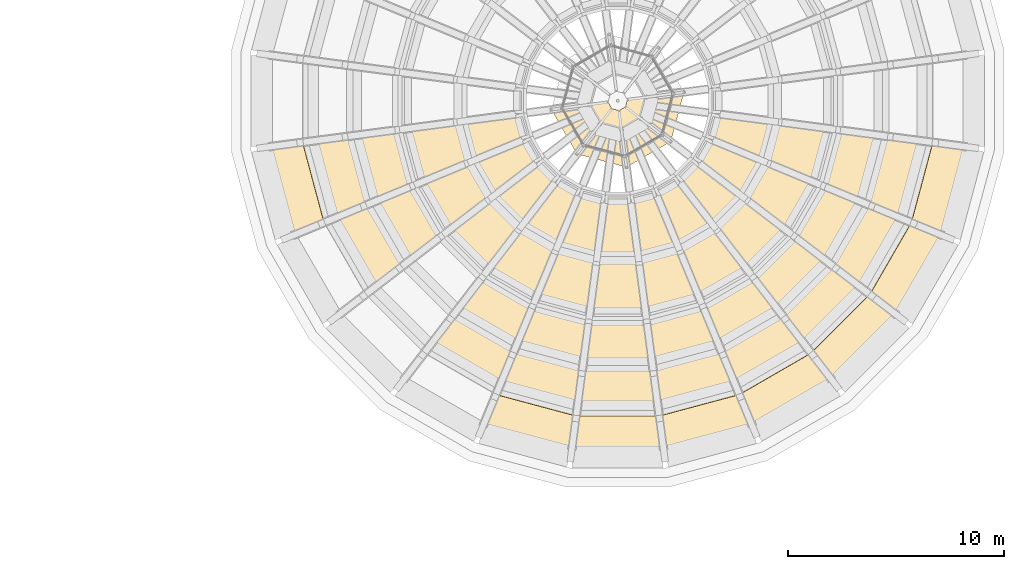
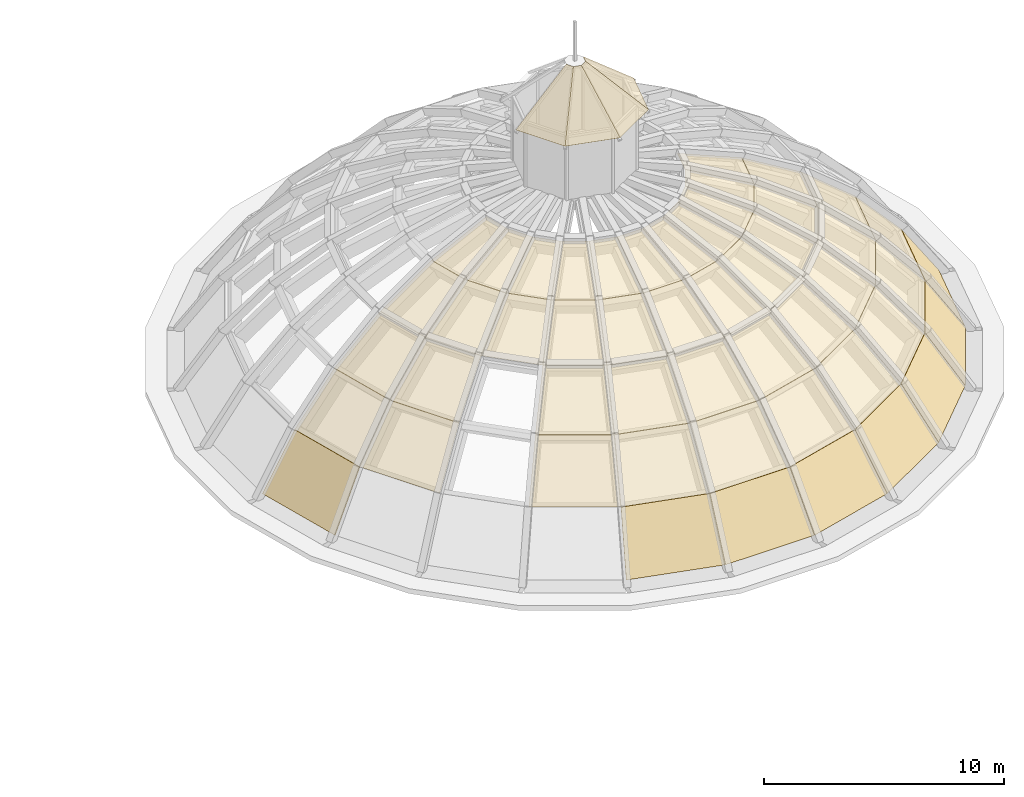
# One storey, part 27 of 29: 54 coverings.
"""IFC4 building model written with IfcOpenShell, lengths in metres."""

from ifc_helpers import new_model, si_unit, direction, frame, origin, place, context, subcontext, project, spatial, polyline, outline, extrude, material, layer, layer_set, type_object, element, save


model = new_model("IFC4")

# Units and contexts
model_context = context("Model", 3, precision=1e-05, world=origin(), true_north=direction((0.0, 1.0)))
body_context = subcontext(model_context, "Body", "Model", "MODEL_VIEW")
ifc_project = project(units=[si_unit("LENGTHUNIT", "METRE"), si_unit("AREAUNIT", "SQUARE_METRE"), si_unit("VOLUMEUNIT", "CUBIC_METRE"), si_unit("PLANEANGLEUNIT", "RADIAN"), si_unit("MASSUNIT", "GRAM", prefix="KILO")], contexts=[model_context])

# Site, building, storey
site_placement = place(None, origin())
site = spatial("IfcSite", under=ifc_project, at=site_placement, CompositionType="ELEMENT")
building_placement = place(site_placement, origin())
building = spatial("IfcBuilding", under=site, at=building_placement, Name="Golden Quay Civic Hall", CompositionType="ELEMENT")
storey_placement = place(building_placement, frame((0.0, 0.0, 27.0)))
storey = spatial("IfcBuildingStorey", under=building, at=storey_placement, Name="L06", CompositionType="ELEMENT", Elevation=27.0)

# Coverings
ifc_material_1 = material(Name="Ceramic tile")
ifc_layer_1 = layer(ifc_material_1, 0.030029296875)
ifc_layer_set_1 = layer_set([ifc_layer_1], Name="Ceramic tile roofing, green glaze")
covering_type_1 = type_object("IfcCoveringType", Name="Ceramic tile roofing, green glaze", PredefinedType="ROOFING", material=ifc_layer_set_1)
covering_1_placement = place(storey_placement, frame((69.2158203125, 83.352783203125, 0.162109375), z_axis=(-0.805740157574, -0.215873860886, 0.551526313659), x_axis=(0.258787898456, -0.96593417144, -7.500766e-06)))
element("IfcCovering", 1, at=covering_1_placement, inside=storey, type_object=covering_type_1, Name="Dome tile roofing 1.13", PredefinedType="ROOFING", context=body_context, shape_type="SweptSolid", body=[
    extrude(outline(polyline([(0.0, 0.0), (4.281332620416049, 0.0), (4.060298820204562, 3.0439011490324437), (0.22099051676284331, 3.0438281280134967), (0.0, 0.0)])), origin(), (0.0, 0.0, -1.0), 0.030029296875),
])
covering_2_placement = place(storey_placement, frame((79.21728515625, 70.32373046875, 0.162109375), z_axis=(-0.215873860886, -0.805740157574, 0.551526313659), x_axis=(0.96593417144, -0.258787898456, 7.500766e-06)))
element("IfcCovering", 2, at=covering_2_placement, inside=storey, type_object=covering_type_1, Name="Dome tile roofing 1.17", PredefinedType="ROOFING", context=body_context, shape_type="SweptSolid", body=[
    extrude(outline(polyline([(0.0, 0.0), (4.281332620416049, 0.0), (4.0603421036532055, 3.0438281280134967), (0.22103380021148802, 3.0439011490324437), (0.0, 0.0)])), origin(), (0.0, 0.0, -1.0), 0.030029296875),
])
covering_3_placement = place(storey_placement, frame((83.359375, 69.21484375, 0.162109375), z_axis=(0.0, -0.834129739032, 0.551568289935), x_axis=(1.0, 0.0, 0.0)))
element("IfcCovering", 3, at=covering_3_placement, inside=storey, type_object=covering_type_1, Name="Dome tile roofing 1.18", PredefinedType="ROOFING", context=body_context, shape_type="SweptSolid", body=[
    extrude(outline(polyline([(0.0, 0.0), (4.28125, 0.0), (4.060302734375, 3.043965921830922), (0.220947265625, 3.043965921830922), (0.0, 0.0)])), origin(), (0.0, 0.0, -1.0), 0.030029296875),
])
covering_4_placement = place(storey_placement, frame((87.647216796875, 69.2158203125, 0.162109375), z_axis=(0.215873860886, -0.805740157574, 0.551526313659), x_axis=(0.96593417144, 0.258787898456, -7.500766e-06)))
element("IfcCovering", 4, at=covering_4_placement, inside=storey, type_object=covering_type_1, Name="Dome tile roofing 1.19", PredefinedType="ROOFING", context=body_context, shape_type="SweptSolid", body=[
    extrude(outline(polyline([(0.0, 0.0), (4.281332620416049, 0.0), (4.060298820204562, 3.0439011490324437), (0.22099051676284331, 3.0438281280134967), (0.0, 0.0)])), origin(), (0.0, 0.0, -1.0), 0.030029296875),
])
covering_5_placement = place(storey_placement, frame((91.78857421875, 70.326416015625, 0.162109375), z_axis=(0.41708510794, -0.722419194234, 0.551498432035), x_axis=(0.866028420625, 0.499994774633, -3.146125e-06)))
element("IfcCovering", 5, at=covering_5_placement, inside=storey, type_object=covering_type_1, Name="Dome tile roofing 1.20", PredefinedType="ROOFING", context=body_context, shape_type="SweptSolid", body=[
    extrude(outline(polyline([(0.0, 0.0), (4.281330031252493, 0.0), (4.060276940055016, 3.043812687252853), (0.22094589185488453, 3.0437820598821443), (0.0, 0.0)])), origin(), (0.0, 0.0, -1.0), 0.030029296875),
])
covering_6_placement = place(storey_placement, frame((95.501708984375, 72.470947265625, 0.162109375), z_axis=(0.589828881025, -0.589828881025, 0.551546718074), x_axis=(0.707106781187, 0.707106781187, 0.0)))
element("IfcCovering", 6, at=covering_6_placement, inside=storey, type_object=covering_type_1, Name="Dome tile roofing 1.21", PredefinedType="ROOFING", context=body_context, shape_type="SweptSolid", body=[
    extrude(outline(polyline([(0.0, 0.0), (4.281310589215424, 0.0), (4.060512353586129, 3.0439138695393515), (0.22079823562929546, 3.0439138695393515), (0.0, 0.0)])), origin(), (0.0, 0.0, -1.0), 0.030029296875),
])
covering_7_placement = place(storey_placement, frame((98.532958984375, 75.503662109375, 0.162109375), z_axis=(0.722419194234, -0.41708510794, 0.551498432035), x_axis=(0.499994774633, 0.866028420625, 3.146125e-06)))
element("IfcCovering", 7, at=covering_7_placement, inside=storey, type_object=covering_type_1, Name="Dome tile roofing 1.22", PredefinedType="ROOFING", context=body_context, shape_type="SweptSolid", body=[
    extrude(outline(polyline([(0.0, 0.0), (4.281330031252493, 0.0), (4.060384139397608, 3.043782059882144), (0.22105309119747676, 3.043812687252853), (0.0, 0.0)])), origin(), (0.0, 0.0, -1.0), 0.030029296875),
])
covering_8_placement = place(storey_placement, frame((100.67626953125, 79.21728515625, 0.162109375), z_axis=(0.805740157574, -0.215873860886, 0.551526313659), x_axis=(0.258787898456, 0.96593417144, 7.500766e-06)))
element("IfcCovering", 8, at=covering_8_placement, inside=storey, type_object=covering_type_1, Name="Dome tile roofing 1.23", PredefinedType="ROOFING", context=body_context, shape_type="SweptSolid", body=[
    extrude(outline(polyline([(0.0, 0.0), (4.281332620416049, 0.0), (4.0603421036532055, 3.0438281280134967), (0.22103380021148802, 3.0439011490324437), (0.0, 0.0)])), origin(), (0.0, 0.0, -1.0), 0.030029296875),
])
covering_9_placement = place(storey_placement, frame((70.8974609375, 83.57470703125, 2.705078125), z_axis=(-0.708878331371, -0.189944939548, 0.679273458375), x_axis=(0.258816057436, -0.965926626811, -5.564489e-06)))
element("IfcCovering", 9, at=covering_9_placement, inside=storey, type_object=covering_type_1, Name="Dome tile roofing 2.13", PredefinedType="ROOFING", context=body_context, shape_type="SweptSolid", body=[
    extrude(outline(polyline([(0.0, 0.0), (3.8393083044488256, -1.1102230246251565e-16), (3.5675539089432013, 3.0396206008163373), (0.2718945848052697, 3.039566501830165), (0.0, 0.0)])), origin(), (0.0, 0.0, -1.0), 0.030029296875),
])
covering_10_placement = place(storey_placement, frame((71.893310546875, 79.86083984375, 2.705078125), z_axis=(-0.635566847761, -0.366940723833, 0.67927114411), x_axis=(0.499999284017, -0.866025817147, 4.164204e-06)))
element("IfcCovering", 10, at=covering_10_placement, inside=storey, type_object=covering_type_1, Name="Dome tile roofing 2.14", PredefinedType="ROOFING", context=body_context, shape_type="SweptSolid", body=[
    extrude(outline(polyline([(0.0, 0.0), (3.839331048327833, -2.220446049250313e-16), (3.567422145699355, 3.0395644367292958), (0.2719297213147644, 3.0396049209534723), (0.0, 0.0)])), origin(), (0.0, 0.0, -1.0), 0.030029296875),
])
covering_11_placement = place(storey_placement, frame((76.535888671875, 73.81298828125, 2.705078125), z_axis=(-0.366940723833, -0.635566847761, 0.67927114411), x_axis=(0.866025817147, -0.499999284017, -4.164204e-06)))
element("IfcCovering", 11, at=covering_11_placement, inside=storey, type_object=covering_type_1, Name="Dome tile roofing 2.16", PredefinedType="ROOFING", context=body_context, shape_type="SweptSolid", body=[
    extrude(outline(polyline([(0.0, 0.0), (3.839331048327833, 2.220446049250313e-16), (3.5674013270130684, 3.039604920953473), (0.27190890262847806, 3.0395644367292958), (0.0, 0.0)])), origin(), (0.0, 0.0, -1.0), 0.030029296875),
])
covering_12_placement = place(storey_placement, frame((79.8662109375, 71.89111328125, 2.705078125), z_axis=(-0.189944939548, -0.708878331371, 0.679273458375), x_axis=(0.965926626811, -0.258816057436, 5.564489e-06)))
element("IfcCovering", 12, at=covering_12_placement, inside=storey, type_object=covering_type_1, Name="Dome tile roofing 2.17", PredefinedType="ROOFING", context=body_context, shape_type="SweptSolid", body=[
    extrude(outline(polyline([(0.0, 0.0), (3.8393083044488256, 1.1102230246251565e-16), (3.5674137196435556, 3.0395665018301656), (0.27175439550562486, 3.0396206008163373), (0.0, 0.0)])), origin(), (0.0, 0.0, -1.0), 0.030029296875),
])
covering_13_placement = place(storey_placement, frame((83.580322265625, 70.896728515625, 2.705078125), z_axis=(0.0, -0.733888200991, 0.679270276434), x_axis=(1.0, 0.0, 0.0)))
element("IfcCovering", 13, at=covering_13_placement, inside=storey, type_object=covering_type_1, Name="Dome tile roofing 2.18", PredefinedType="ROOFING", context=body_context, shape_type="SweptSolid", body=[
    extrude(outline(polyline([(0.0, 0.0), (3.83935546875, 0.0), (3.5673828125, 3.039581352601028), (0.27197265625, 3.039581352601028), (0.0, 0.0)])), origin(), (0.0, 0.0, -1.0), 0.030029296875),
])
covering_14_placement = place(storey_placement, frame((87.42529296875, 70.8974609375, 2.705078125), z_axis=(0.189944939548, -0.708878331371, 0.679273458375), x_axis=(0.965926626811, 0.258816057436, -5.564489e-06)))
element("IfcCovering", 14, at=covering_14_placement, inside=storey, type_object=covering_type_1, Name="Dome tile roofing 2.19", PredefinedType="ROOFING", context=body_context, shape_type="SweptSolid", body=[
    extrude(outline(polyline([(0.0, 0.0), (3.8393083044488256, -1.1102230246251565e-16), (3.5675539089432013, 3.0396206008163373), (0.2718945848052697, 3.039566501830165), (0.0, 0.0)])), origin(), (0.0, 0.0, -1.0), 0.030029296875),
])
covering_15_placement = place(storey_placement, frame((91.13916015625, 71.893310546875, 2.705078125), z_axis=(0.366940723833, -0.635566847761, 0.67927114411), x_axis=(0.866025817147, 0.499999284017, 4.164204e-06)))
element("IfcCovering", 15, at=covering_15_placement, inside=storey, type_object=covering_type_1, Name="Dome tile roofing 2.20", PredefinedType="ROOFING", context=body_context, shape_type="SweptSolid", body=[
    extrude(outline(polyline([(0.0, 0.0), (3.839331048327833, -2.220446049250313e-16), (3.567422145699355, 3.0395644367292958), (0.2719297213147644, 3.0396049209534723), (0.0, 0.0)])), origin(), (0.0, 0.0, -1.0), 0.030029296875),
])
covering_16_placement = place(storey_placement, frame((94.46875, 73.81640625, 2.705078125), z_axis=(0.518937405576, -0.518937405576, 0.67927015111), x_axis=(0.707106781187, 0.707106781187, 0.0)))
element("IfcCovering", 16, at=covering_16_placement, inside=storey, type_object=covering_type_1, Name="Dome tile roofing 2.21", PredefinedType="ROOFING", context=body_context, shape_type="SweptSolid", body=[
    extrude(outline(polyline([(0.0, 0.0), (3.8393688509738326, 0.0), (3.5676437353518535, 3.039580872168448), (0.271725115621979, 3.0395808721684485), (0.0, 0.0)])), origin(), (0.0, 0.0, -1.0), 0.030029296875),
])
covering_17_placement = place(storey_placement, frame((97.18701171875, 76.535888671875, 2.705078125), z_axis=(0.635566847761, -0.366940723833, 0.67927114411), x_axis=(0.499999284017, 0.866025817147, -4.164204e-06)))
element("IfcCovering", 17, at=covering_17_placement, inside=storey, type_object=covering_type_1, Name="Dome tile roofing 2.22", PredefinedType="ROOFING", context=body_context, shape_type="SweptSolid", body=[
    extrude(outline(polyline([(0.0, 0.0), (3.839331048327833, 2.220446049250313e-16), (3.5674013270130684, 3.039604920953473), (0.27190890262847806, 3.0395644367292958), (0.0, 0.0)])), origin(), (0.0, 0.0, -1.0), 0.030029296875),
])
covering_18_placement = place(storey_placement, frame((99.10888671875, 79.8662109375, 2.705078125), z_axis=(0.708878331371, -0.189944939548, 0.679273458375), x_axis=(0.258816057436, 0.965926626811, 5.564489e-06)))
element("IfcCovering", 18, at=covering_18_placement, inside=storey, type_object=covering_type_1, Name="Dome tile roofing 2.23", PredefinedType="ROOFING", context=body_context, shape_type="SweptSolid", body=[
    extrude(outline(polyline([(0.0, 0.0), (3.8393083044488256, 1.1102230246251565e-16), (3.5674137196435556, 3.0395665018301656), (0.27175439550562486, 3.0396206008163373), (0.0, 0.0)])), origin(), (0.0, 0.0, -1.0), 0.030029296875),
])
covering_19_placement = place(storey_placement, frame((72.965576171875, 83.847412109375, 4.939208984375), z_axis=(-0.593030339948, -0.158907587063, 0.789343648024), x_axis=(0.258831309273, -0.965922540026, 3.039489e-06)))
element("IfcCovering", 19, at=covering_19_placement, inside=storey, type_object=covering_type_1, Name="Dome tile roofing 3.13", PredefinedType="ROOFING", context=body_context, shape_type="SweptSolid", body=[
    extrude(outline(polyline([(0.0, 0.0), (3.2956593247075916, 1.1102230246251565e-16), (2.980322356068055, 3.0356796500240923), (0.31554701715372285, 3.035709158337486), (0.0, 0.0)])), origin(), (0.0, 0.0, -1.0), 0.030029296875),
])
covering_20_placement = place(storey_placement, frame((73.8203125, 80.65966796875, 4.939208984375), z_axis=(-0.531722573778, -0.306977745843, 0.789326148111), x_axis=(0.500001131999, -0.8660247501, 1.4649417e-05)))
element("IfcCovering", 20, at=covering_20_placement, inside=storey, type_object=covering_type_1, Name="Dome tile roofing 3.14", PredefinedType="ROOFING", context=body_context, shape_type="SweptSolid", body=[
    extrude(outline(polyline([(0.0, 0.0), (3.2958259263691243, 0.0), (2.980385393931973, 3.0355120530276447), (0.3155811605310277, 3.0356542736119536), (0.0, 0.0)])), origin(), (0.0, 0.0, -1.0), 0.030029296875),
])
covering_21_placement = place(storey_placement, frame((77.805419921875, 75.46826171875, 4.939208984375), z_axis=(-0.306977745843, -0.531722573778, 0.789326148111), x_axis=(0.8660247501, -0.500001131999, -1.4649417e-05)))
element("IfcCovering", 21, at=covering_21_placement, inside=storey, type_object=covering_type_1, Name="Dome tile roofing 3.16", PredefinedType="ROOFING", context=body_context, shape_type="SweptSolid", body=[
    extrude(outline(polyline([(0.0, 0.0), (3.2958259263691243, 0.0), (2.9802447658380964, 3.0356542736119536), (0.3154405324371513, 3.0355120530276447), (0.0, 0.0)])), origin(), (0.0, 0.0, -1.0), 0.030029296875),
])
covering_22_placement = place(storey_placement, frame((80.6640625, 73.818603515625, 4.939208984375), z_axis=(-0.158907587063, -0.593030339948, 0.789343648024), x_axis=(0.965922540026, -0.258831309273, -3.039489e-06)))
element("IfcCovering", 22, at=covering_22_placement, inside=storey, type_object=covering_type_1, Name="Dome tile roofing 3.17", PredefinedType="ROOFING", context=body_context, shape_type="SweptSolid", body=[
    extrude(outline(polyline([(0.0, 0.0), (3.2956593247075916, -1.1102230246251565e-16), (2.9801123075538687, 3.035709158337486), (0.31533696863953575, 3.0356796500240923), (0.0, 0.0)])), origin(), (0.0, 0.0, -1.0), 0.030029296875),
])
covering_23_placement = place(storey_placement, frame((83.852294921875, 72.965087890625, 4.939208984375), z_axis=(0.0, -0.613985157117, 0.789317570336), x_axis=(1.0, 0.0, 0.0)))
element("IfcCovering", 23, at=covering_23_placement, inside=storey, type_object=covering_type_1, Name="Dome tile roofing 3.18", PredefinedType="ROOFING", context=body_context, shape_type="SweptSolid", body=[
    extrude(outline(polyline([(0.0, 0.0), (3.29541015625, 0.0), (2.980224609375, 3.0355286437260154), (0.315185546875, 3.0355286437260154), (0.0, 0.0)])), origin(), (0.0, 0.0, -1.0), 0.030029296875),
])
covering_24_placement = place(storey_placement, frame((87.152587890625, 72.965576171875, 4.939208984375), z_axis=(0.158907587063, -0.593030339948, 0.789343648024), x_axis=(0.965922540026, 0.258831309273, 3.039489e-06)))
element("IfcCovering", 24, at=covering_24_placement, inside=storey, type_object=covering_type_1, Name="Dome tile roofing 3.19", PredefinedType="ROOFING", context=body_context, shape_type="SweptSolid", body=[
    extrude(outline(polyline([(0.0, 0.0), (3.2956593247075916, 1.1102230246251565e-16), (2.980322356068055, 3.0356796500240923), (0.31554701715372285, 3.035709158337486), (0.0, 0.0)])), origin(), (0.0, 0.0, -1.0), 0.030029296875),
])
covering_25_placement = place(storey_placement, frame((90.34033203125, 73.8203125, 4.939208984375), z_axis=(0.306977745843, -0.531722573778, 0.789326148111), x_axis=(0.8660247501, 0.500001131999, 1.4649417e-05)))
element("IfcCovering", 25, at=covering_25_placement, inside=storey, type_object=covering_type_1, Name="Dome tile roofing 3.20", PredefinedType="ROOFING", context=body_context, shape_type="SweptSolid", body=[
    extrude(outline(polyline([(0.0, 0.0), (3.2958259263691243, 0.0), (2.980385393931973, 3.0355120530276447), (0.3155811605310277, 3.0356542736119536), (0.0, 0.0)])), origin(), (0.0, 0.0, -1.0), 0.030029296875),
])
covering_26_placement = place(storey_placement, frame((93.198486328125, 75.47119140625, 4.939208984375), z_axis=(0.434115883787, -0.434115883787, 0.789358472995), x_axis=(0.707106781187, 0.707106781187, 0.0)))
element("IfcCovering", 26, at=covering_26_placement, inside=storey, type_object=covering_type_1, Name="Dome tile roofing 3.21", PredefinedType="ROOFING", context=body_context, shape_type="SweptSolid", body=[
    extrude(outline(polyline([(0.0, 0.0), (3.295573352746873, 0.0), (2.980171963775237, 3.0357886530678746), (0.3154013889716363, 3.0357886530678746), (0.0, 0.0)])), origin(), (0.0, 0.0, -1.0), 0.030029296875),
])
covering_27_placement = place(storey_placement, frame((95.53173828125, 77.805419921875, 4.939208984375), z_axis=(0.531722573778, -0.306977745843, 0.789326148111), x_axis=(0.500001131999, 0.8660247501, -1.4649417e-05)))
element("IfcCovering", 27, at=covering_27_placement, inside=storey, type_object=covering_type_1, Name="Dome tile roofing 3.22", PredefinedType="ROOFING", context=body_context, shape_type="SweptSolid", body=[
    extrude(outline(polyline([(0.0, 0.0), (3.2958259263691243, 0.0), (2.9802447658380964, 3.0356542736119536), (0.3154405324371513, 3.0355120530276447), (0.0, 0.0)])), origin(), (0.0, 0.0, -1.0), 0.030029296875),
])
covering_28_placement = place(storey_placement, frame((97.181396484375, 80.6640625, 4.939208984375), z_axis=(0.593030339948, -0.158907587063, 0.789343648024), x_axis=(0.258831309273, 0.965922540026, -3.039489e-06)))
element("IfcCovering", 28, at=covering_28_placement, inside=storey, type_object=covering_type_1, Name="Dome tile roofing 3.23", PredefinedType="ROOFING", context=body_context, shape_type="SweptSolid", body=[
    extrude(outline(polyline([(0.0, 0.0), (3.2956593247075916, -1.1102230246251565e-16), (2.9801123075538687, 3.035709158337486), (0.31533696863953575, 3.0356796500240923), (0.0, 0.0)])), origin(), (0.0, 0.0, -1.0), 0.030029296875),
])
covering_29_placement = place(storey_placement, frame((75.36572265625, 84.163818359375, 6.8056640625), z_axis=(-0.461042312373, -0.123525399186, 0.878738562917), x_axis=(0.258815131869, -0.965926874783, 9.358963e-06)))
element("IfcCovering", 29, at=covering_29_placement, inside=storey, type_object=covering_type_1, Name="Dome tile roofing 4.13", PredefinedType="ROOFING", context=body_context, shape_type="SweptSolid", body=[
    extrude(outline(polyline([(0.0, 0.0), (2.6647753389567947, -1.1102230246251565e-16), (2.313995000782084, 3.031614315899368), (0.3506370289232735, 3.0317050643175447), (0.0, 0.0)])), origin(), (0.0, 0.0, -1.0), 0.030029296875),
])
covering_30_placement = place(storey_placement, frame((76.056884765625, 81.58642578125, 6.8056640625), z_axis=(-0.413366714096, -0.238648335031, 0.878734847303), x_axis=(0.499990672115, -0.866030789169, 3.067239e-06)))
element("IfcCovering", 30, at=covering_30_placement, inside=storey, type_object=covering_type_1, Name="Dome tile roofing 4.14", PredefinedType="ROOFING", context=body_context, shape_type="SweptSolid", body=[
    extrude(outline(polyline([(0.0, 0.0), (2.6645928019913105, 0.0), (2.3141036593629254, 3.031601369376322), (0.3506351683628998, 3.031631109723289), (0.0, 0.0)])), origin(), (0.0, 0.0, -1.0), 0.030029296875),
])
covering_31_placement = place(storey_placement, frame((77.3916015625, 79.27587890625, 6.8056640625), z_axis=(-0.337517079986, -0.337517079986, 0.87872887823), x_axis=(0.707106781187, -0.707106781187, 0.0)))
element("IfcCovering", 31, at=covering_31_placement, inside=storey, type_object=covering_type_1, Name="Dome tile roofing 4.15", PredefinedType="ROOFING", context=body_context, shape_type="SweptSolid", body=[
    extrude(outline(polyline([(0.0, 0.0), (2.6647705748036006, 0.0), (2.3141519535658372, 3.0315464454888756), (0.3506186212377631, 3.031546445488875), (0.0, 0.0)])), origin(), (0.0, 0.0, -1.0), 0.030029296875),
])
covering_32_placement = place(storey_placement, frame((79.27880859375, 77.38916015625, 6.8056640625), z_axis=(-0.238648335031, -0.413366714096, 0.878734847303), x_axis=(0.866030789169, -0.499990672115, -3.067239e-06)))
element("IfcCovering", 32, at=covering_32_placement, inside=storey, type_object=covering_type_1, Name="Dome tile roofing 4.16", PredefinedType="ROOFING", context=body_context, shape_type="SweptSolid", body=[
    extrude(outline(polyline([(0.0, 0.0), (2.6645928019913105, 0.0), (2.313957633628411, 3.031631109723289), (0.3504891426283849, 3.031601369376322), (0.0, 0.0)])), origin(), (0.0, 0.0, -1.0), 0.030029296875),
])
covering_33_placement = place(storey_placement, frame((81.58984375, 76.055419921875, 6.8056640625), z_axis=(-0.123525399186, -0.461042312373, 0.878738562917), x_axis=(0.965926874783, -0.258815131869, -9.358963e-06)))
element("IfcCovering", 33, at=covering_33_placement, inside=storey, type_object=covering_type_1, Name="Dome tile roofing 4.17", PredefinedType="ROOFING", context=body_context, shape_type="SweptSolid", body=[
    extrude(outline(polyline([(0.0, 0.0), (2.6647753389567947, 1.1102230246251565e-16), (2.3141383100335218, 3.0317050643175447), (0.3507803381747112, 3.031614315899368), (0.0, 0.0)])), origin(), (0.0, 0.0, -1.0), 0.030029296875),
])
covering_34_placement = place(storey_placement, frame((84.16748046875, 75.365234375, 6.8056640625), z_axis=(0.0, -0.477299774703, 0.878740533416), x_axis=(1.0, 0.0, 0.0)))
element("IfcCovering", 34, at=covering_34_placement, inside=storey, type_object=covering_type_1, Name="Dome tile roofing 4.18", PredefinedType="ROOFING", context=body_context, shape_type="SweptSolid", body=[
    extrude(outline(polyline([(0.0, 0.0), (2.6650390625, 0.0), (2.314208984375, 3.0316827307864984), (0.350830078125, 3.0316827307864984), (0.0, 0.0)])), origin(), (0.0, 0.0, -1.0), 0.030029296875),
])
covering_35_placement = place(storey_placement, frame((86.836181640625, 75.36572265625, 6.8056640625), z_axis=(0.123525399186, -0.461042312373, 0.878738562917), x_axis=(0.965926874783, 0.258815131869, 9.358963e-06)))
element("IfcCovering", 35, at=covering_35_placement, inside=storey, type_object=covering_type_1, Name="Dome tile roofing 4.19", PredefinedType="ROOFING", context=body_context, shape_type="SweptSolid", body=[
    extrude(outline(polyline([(0.0, 0.0), (2.6647753389567947, -1.1102230246251565e-16), (2.313995000782084, 3.031614315899368), (0.3506370289232735, 3.0317050643175447), (0.0, 0.0)])), origin(), (0.0, 0.0, -1.0), 0.030029296875),
])
covering_36_placement = place(storey_placement, frame((89.41357421875, 76.056884765625, 6.8056640625), z_axis=(0.238648335031, -0.413366714096, 0.878734847303), x_axis=(0.866030789169, 0.499990672115, 3.067239e-06)))
element("IfcCovering", 36, at=covering_36_placement, inside=storey, type_object=covering_type_1, Name="Dome tile roofing 4.20", PredefinedType="ROOFING", context=body_context, shape_type="SweptSolid", body=[
    extrude(outline(polyline([(0.0, 0.0), (2.6645928019913105, 0.0), (2.3141036593629254, 3.031601369376322), (0.3506351683628998, 3.031631109723289), (0.0, 0.0)])), origin(), (0.0, 0.0, -1.0), 0.030029296875),
])
covering_37_placement = place(storey_placement, frame((91.72412109375, 77.3916015625, 6.8056640625), z_axis=(0.337517079986, -0.337517079986, 0.87872887823), x_axis=(0.707106781187, 0.707106781187, 0.0)))
element("IfcCovering", 37, at=covering_37_placement, inside=storey, type_object=covering_type_1, Name="Dome tile roofing 4.21", PredefinedType="ROOFING", context=body_context, shape_type="SweptSolid", body=[
    extrude(outline(polyline([(0.0, 0.0), (2.6647705748036006, 0.0), (2.3141519535658372, 3.0315464454888756), (0.3506186212377631, 3.031546445488875), (0.0, 0.0)])), origin(), (0.0, 0.0, -1.0), 0.030029296875),
])
covering_38_placement = place(storey_placement, frame((93.61083984375, 79.27880859375, 6.8056640625), z_axis=(0.413366714096, -0.238648335031, 0.878734847303), x_axis=(0.499990672115, 0.866030789169, -3.067239e-06)))
element("IfcCovering", 38, at=covering_38_placement, inside=storey, type_object=covering_type_1, Name="Dome tile roofing 4.22", PredefinedType="ROOFING", context=body_context, shape_type="SweptSolid", body=[
    extrude(outline(polyline([(0.0, 0.0), (2.6645928019913105, 0.0), (2.313957633628411, 3.031631109723289), (0.3504891426283849, 3.031601369376322), (0.0, 0.0)])), origin(), (0.0, 0.0, -1.0), 0.030029296875),
])
covering_39_placement = place(storey_placement, frame((94.944580078125, 81.58984375, 6.8056640625), z_axis=(0.461042312373, -0.123525399186, 0.878738562917), x_axis=(0.258815131869, 0.965926874783, -9.358963e-06)))
element("IfcCovering", 39, at=covering_39_placement, inside=storey, type_object=covering_type_1, Name="Dome tile roofing 4.23", PredefinedType="ROOFING", context=body_context, shape_type="SweptSolid", body=[
    extrude(outline(polyline([(0.0, 0.0), (2.6647753389567947, 1.1102230246251565e-16), (2.3141383100335218, 3.0317050643175447), (0.3507803381747112, 3.031614315899368), (0.0, 0.0)])), origin(), (0.0, 0.0, -1.0), 0.030029296875),
])
covering_40_placement = place(storey_placement, frame((78.033935546875, 84.515869140625, 8.25439453125), z_axis=(-0.316442892005, -0.084762839173, 0.944816996669), x_axis=(0.258766089891, -0.965940013994, 9.389947e-06)))
element("IfcCovering", 40, at=covering_40_placement, inside=storey, type_object=covering_type_1, Name="Dome tile roofing 5.13", PredefinedType="ROOFING", context=body_context, shape_type="SweptSolid", body=[
    extrude(outline(polyline([(0.0, 0.0), (1.9633579740642204, -5.551115123125783e-17), (1.5864948811010409, 3.0286228418594443), (0.3766089010647602, 3.028713796435269), (0.0, 0.0)])), origin(), (0.0, 0.0, -1.0), 0.030029296875),
])
covering_41_placement = place(storey_placement, frame((78.543212890625, 82.616943359375, 8.25439453125), z_axis=(-0.283729400951, -0.16381995174, 0.944807202792), x_axis=(0.500029839935, -0.866008174996, 3.968543e-06)))
element("IfcCovering", 41, at=covering_41_placement, inside=storey, type_object=covering_type_1, Name="Dome tile roofing 5.14", PredefinedType="ROOFING", context=body_context, shape_type="SweptSolid", body=[
    extrude(outline(polyline([(0.0, 0.0), (1.9632570598257966, -1.1102230246251565e-16), (1.5866704240342444, 3.0283879923228856), (0.37671411777469815, 3.028426429450894), (0.0, 0.0)])), origin(), (0.0, 0.0, -1.0), 0.030029296875),
])
covering_42_placement = place(storey_placement, frame((79.5263671875, 80.914794921875, 8.25439453125), z_axis=(-0.23165710518, -0.23165710518, 0.944812135421), x_axis=(0.707106781187, -0.707106781187, 0.0)))
element("IfcCovering", 42, at=covering_42_placement, inside=storey, type_object=covering_type_1, Name="Dome tile roofing 5.15", PredefinedType="ROOFING", context=body_context, shape_type="SweptSolid", body=[
    extrude(outline(polyline([(0.0, 0.0), (1.9635333323280741, 0.0), (1.5866744203822165, 3.0285387055772093), (0.37685891194585763, 3.0285387055772093), (0.0, 0.0)])), origin(), (0.0, 0.0, -1.0), 0.030029296875),
])
covering_43_placement = place(storey_placement, frame((80.916748046875, 79.52490234375, 8.25439453125), z_axis=(-0.16381995174, -0.283729400951, 0.944807202792), x_axis=(0.866008174996, -0.500029839935, -3.968543e-06)))
element("IfcCovering", 43, at=covering_43_placement, inside=storey, type_object=covering_type_1, Name="Dome tile roofing 5.16", PredefinedType="ROOFING", context=body_context, shape_type="SweptSolid", body=[
    extrude(outline(polyline([(0.0, 0.0), (1.9632570598257966, 1.1102230246251565e-16), (1.5865429420510984, 3.0284264294508945), (0.3765866357915519, 3.0283879923228856), (0.0, 0.0)])), origin(), (0.0, 0.0, -1.0), 0.030029296875),
])
covering_44_placement = place(storey_placement, frame((82.619384765625, 78.5419921875, 8.25439453125), z_axis=(-0.084762839173, -0.316442892005, 0.944816996669), x_axis=(0.965940013994, -0.258766089891, -9.389947e-06)))
element("IfcCovering", 44, at=covering_44_placement, inside=storey, type_object=covering_type_1, Name="Dome tile roofing 5.17", PredefinedType="ROOFING", context=body_context, shape_type="SweptSolid", body=[
    extrude(outline(polyline([(0.0, 0.0), (1.9633579740642204, 5.551115123125783e-17), (1.58674907299946, 3.0287137964352695), (0.3768630929631793, 3.0286228418594447), (0.0, 0.0)])), origin(), (0.0, 0.0, -1.0), 0.030029296875),
])
covering_45_placement = place(storey_placement, frame((84.518310546875, 78.03369140625, 8.25439453125), z_axis=(0.0, -0.327619978549, 0.944809583808), x_axis=(1.0, 0.0, 0.0)))
element("IfcCovering", 45, at=covering_45_placement, inside=storey, type_object=covering_type_1, Name="Dome tile roofing 5.18", PredefinedType="ROOFING", context=body_context, shape_type="SweptSolid", body=[
    extrude(outline(polyline([(0.0, 0.0), (1.96337890625, 0.0), (1.586669921875, 3.0284706823861223), (0.376708984375, 3.0284706823861223), (0.0, 0.0)])), origin(), (0.0, 0.0, -1.0), 0.030029296875),
])
covering_46_placement = place(storey_placement, frame((86.484130859375, 78.033935546875, 8.25439453125), z_axis=(0.084762839173, -0.316442892005, 0.944816996669), x_axis=(0.965940013994, 0.258766089891, 9.389947e-06)))
element("IfcCovering", 46, at=covering_46_placement, inside=storey, type_object=covering_type_1, Name="Dome tile roofing 5.19", PredefinedType="ROOFING", context=body_context, shape_type="SweptSolid", body=[
    extrude(outline(polyline([(0.0, 0.0), (1.9633579740642204, -5.551115123125783e-17), (1.5864948811010409, 3.0286228418594443), (0.3766089010647602, 3.028713796435269), (0.0, 0.0)])), origin(), (0.0, 0.0, -1.0), 0.030029296875),
])
covering_47_placement = place(storey_placement, frame((88.383056640625, 78.543212890625, 8.25439453125), z_axis=(0.16381995174, -0.283729400951, 0.944807202792), x_axis=(0.866008174996, 0.500029839935, 3.968543e-06)))
element("IfcCovering", 47, at=covering_47_placement, inside=storey, type_object=covering_type_1, Name="Dome tile roofing 5.20", PredefinedType="ROOFING", context=body_context, shape_type="SweptSolid", body=[
    extrude(outline(polyline([(0.0, 0.0), (1.9632570598257966, -1.1102230246251565e-16), (1.5866704240342444, 3.0283879923228856), (0.37671411777469815, 3.028426429450894), (0.0, 0.0)])), origin(), (0.0, 0.0, -1.0), 0.030029296875),
])
covering_48_placement = place(storey_placement, frame((90.085205078125, 79.5263671875, 8.25439453125), z_axis=(0.23165710518, -0.23165710518, 0.944812135421), x_axis=(0.707106781187, 0.707106781187, 0.0)))
element("IfcCovering", 48, at=covering_48_placement, inside=storey, type_object=covering_type_1, Name="Dome tile roofing 5.21", PredefinedType="ROOFING", context=body_context, shape_type="SweptSolid", body=[
    extrude(outline(polyline([(0.0, 0.0), (1.9635333323280741, 0.0), (1.5866744203822165, 3.0285387055772093), (0.37685891194585763, 3.0285387055772093), (0.0, 0.0)])), origin(), (0.0, 0.0, -1.0), 0.030029296875),
])
covering_49_placement = place(storey_placement, frame((91.47509765625, 80.916748046875, 8.25439453125), z_axis=(0.283729400951, -0.16381995174, 0.944807202792), x_axis=(0.500029839935, 0.866008174996, -3.968543e-06)))
element("IfcCovering", 49, at=covering_49_placement, inside=storey, type_object=covering_type_1, Name="Dome tile roofing 5.22", PredefinedType="ROOFING", context=body_context, shape_type="SweptSolid", body=[
    extrude(outline(polyline([(0.0, 0.0), (1.9632570598257966, 1.1102230246251565e-16), (1.5865429420510984, 3.0284264294508945), (0.3765866357915519, 3.0283879923228856), (0.0, 0.0)])), origin(), (0.0, 0.0, -1.0), 0.030029296875),
])
covering_50_placement = place(storey_placement, frame((92.4580078125, 82.619384765625, 8.25439453125), z_axis=(0.316442892005, -0.084762839173, 0.944816996669), x_axis=(0.258766089891, 0.965940013994, -9.389947e-06)))
element("IfcCovering", 50, at=covering_50_placement, inside=storey, type_object=covering_type_1, Name="Dome tile roofing 5.23", PredefinedType="ROOFING", context=body_context, shape_type="SweptSolid", body=[
    extrude(outline(polyline([(0.0, 0.0), (1.9633579740642204, 5.551115123125783e-17), (1.58674907299946, 3.0287137964352695), (0.3768630929631793, 3.0286228418594447), (0.0, 0.0)])), origin(), (0.0, 0.0, -1.0), 0.030029296875),
])
ifc_material_2 = material(Name="Copper")
ifc_layer_2 = layer(ifc_material_2, 0.030029296875)
ifc_layer_set_2 = layer_set([ifc_layer_2], Name="Copper roof sheeting 3")
covering_type_2 = type_object("IfcCoveringType", Name="Copper roof sheeting 3", PredefinedType="ROOFING", material=ifc_layer_set_2)
covering_51_placement = place(storey_placement, frame((82.426513671875, 85.095458984375, 12.997802734375), z_axis=(-0.581551458715, -0.335754110152, 0.740990606136), x_axis=(0.499973981737, -0.866040424644, -2.163824e-05)))
element("IfcCovering", 51, at=covering_51_placement, inside=storey, type_object=covering_type_2, Name="Crown roofing 5", PredefinedType="ROOFING", context=body_context, shape_type="SweptSolid", body=[
    extrude(outline(polyline([(0.0, 0.0), (2.372762654172357, 1.1102230246251565e-16), (1.3584294720327343, 3.304137807999161), (1.013877951031395, 3.3040502479853906), (0.0, 0.0)])), origin(), (0.0, 0.0, -1.0), 0.030029296875),
])
covering_52_placement = place(storey_placement, frame((83.61279296875, 83.04052734375, 12.997802734375), z_axis=(-0.173847210471, -0.648623278496, 0.740989196955), x_axis=(0.965920954497, -0.258837221928, 4.6985827e-05)))
element("IfcCovering", 52, at=covering_52_placement, inside=storey, type_object=covering_type_2, Name="Crown roofing 6", PredefinedType="ROOFING", context=body_context, shape_type="SweptSolid", body=[
    extrude(outline(polyline([(0.0, 0.0), (2.3725770539587017, 0.0), (1.3585071490524054, 3.3039913363885782), (1.0141910447430944, 3.3041814365390727), (0.0, 0.0)])), origin(), (0.0, 0.0, -1.0), 0.030029296875),
])
covering_53_placement = place(storey_placement, frame((85.904541015625, 82.426513671875, 12.997802734375), z_axis=(0.335754110152, -0.581551458715, 0.740990606136), x_axis=(0.866040424644, 0.499973981737, -2.163824e-05)))
element("IfcCovering", 53, at=covering_53_placement, inside=storey, type_object=covering_type_2, Name="Crown roofing 7", PredefinedType="ROOFING", context=body_context, shape_type="SweptSolid", body=[
    extrude(outline(polyline([(0.0, 0.0), (2.372762654172357, 1.1102230246251565e-16), (1.3584294720327343, 3.304137807999161), (1.013877951031395, 3.3040502479853906), (0.0, 0.0)])), origin(), (0.0, 0.0, -1.0), 0.030029296875),
])
covering_54_placement = place(storey_placement, frame((87.95947265625, 83.61279296875, 12.997802734375), z_axis=(0.648623278496, -0.173847210471, 0.740989196955), x_axis=(0.258837221928, 0.965920954497, 4.6985827e-05)))
element("IfcCovering", 54, at=covering_54_placement, inside=storey, type_object=covering_type_2, Name="Crown roofing 8", PredefinedType="ROOFING", context=body_context, shape_type="SweptSolid", body=[
    extrude(outline(polyline([(0.0, 0.0), (2.3725770539587017, 0.0), (1.3585071490524054, 3.3039913363885782), (1.0141910447430944, 3.3041814365390727), (0.0, 0.0)])), origin(), (0.0, 0.0, -1.0), 0.030029296875),
])

save(model, "model.ifc")
